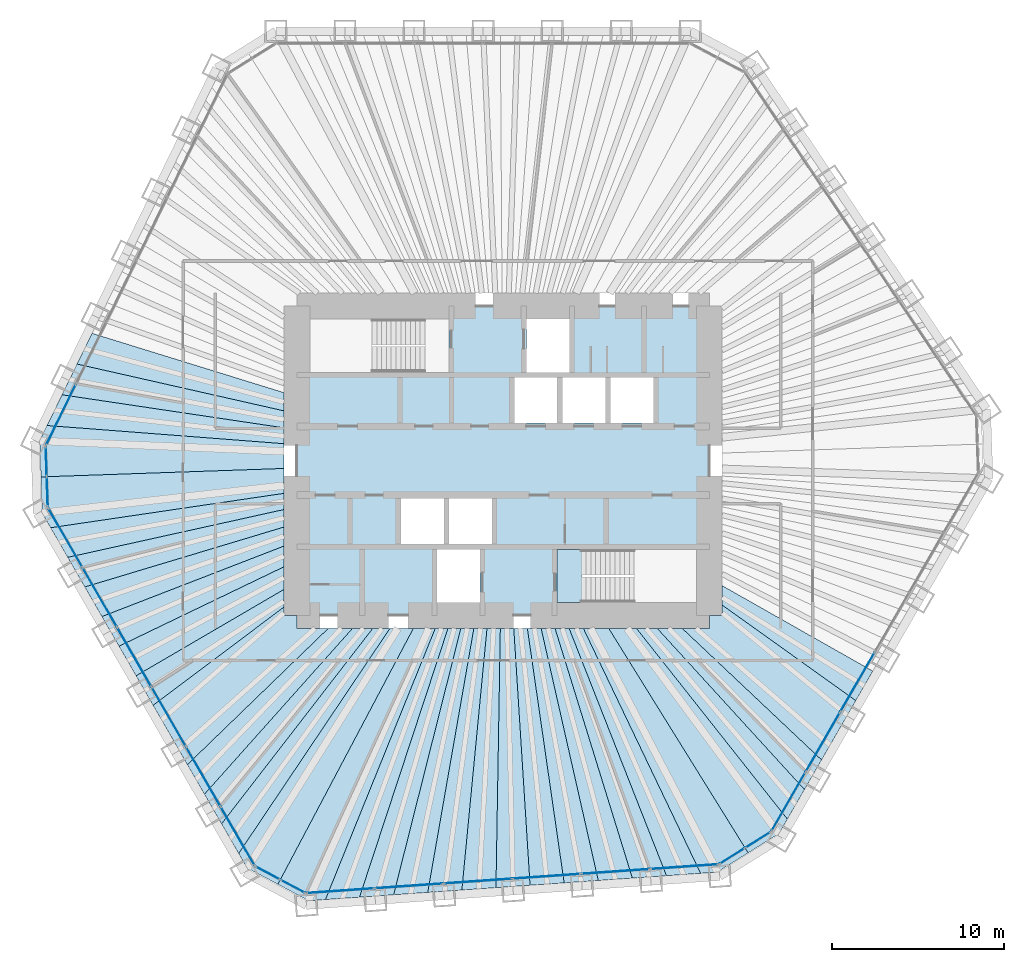
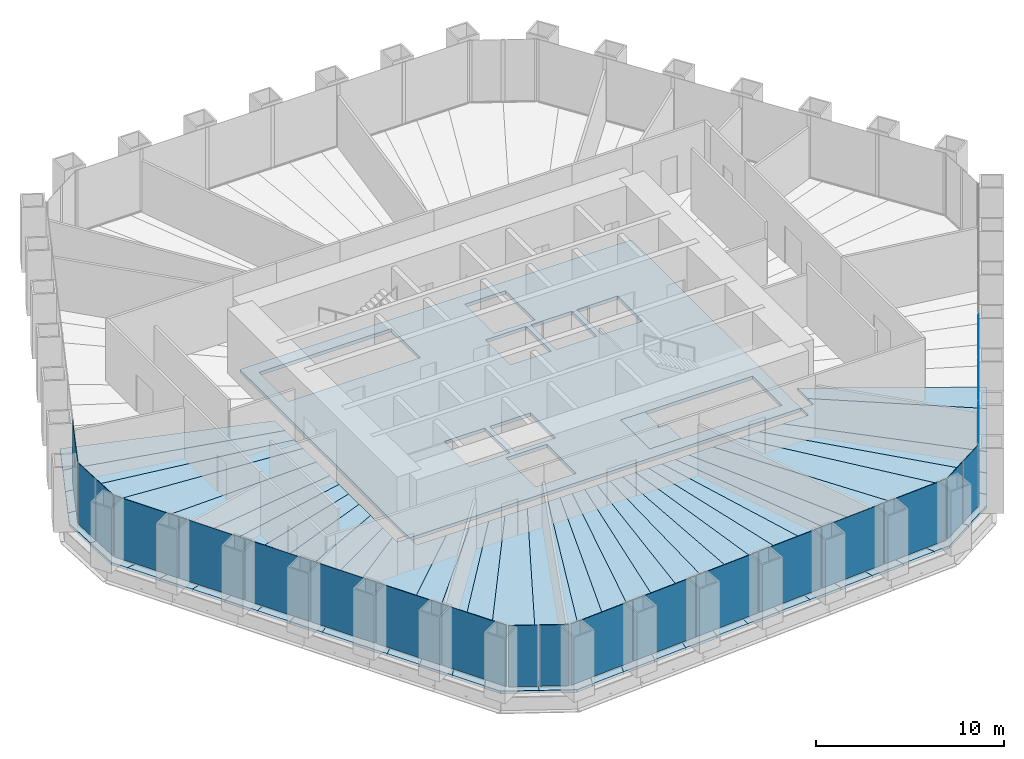
# One storey, part 8 of 13: 36 slabs, 22 plates, 8 elements without a shape of their own.
"""IFC4 building model written with IfcOpenShell, lengths in metres."""

from ifc_helpers import new_model, si_unit, direction, frame, origin, origin_2d, place, context, subcontext, project, spatial, polyline, rectangle, outline, extrude, material, layer, layer_set, type_object, element, aggregate, save


model = new_model("IFC4")

# Units and contexts
model_context = context("Model", 3, precision=1e-05, world=origin(), true_north=direction((0.0, 1.0)))
body_context = subcontext(model_context, "Body", "Model", "MODEL_VIEW")
ifc_project = project(units=[si_unit("LENGTHUNIT", "METRE"), si_unit("AREAUNIT", "SQUARE_METRE"), si_unit("VOLUMEUNIT", "CUBIC_METRE"), si_unit("PLANEANGLEUNIT", "RADIAN"), si_unit("MASSUNIT", "GRAM", prefix="KILO")], contexts=[model_context])

# Site, building, storey
site_placement = place(None, origin())
site = spatial("IfcSite", under=ifc_project, at=site_placement, CompositionType="ELEMENT")
building_placement = place(site_placement, origin())
building = spatial("IfcBuilding", under=site, at=building_placement, Name="Qingtian Harvest Tower", CompositionType="ELEMENT")
storey_placement = place(building_placement, frame((0.0, 0.0, 153.39990234375)))
storey = spatial("IfcBuildingStorey", under=building, at=storey_placement, Name="L32", CompositionType="ELEMENT", Elevation=153.39990234375)

# Slabs
ifc_material_1 = material(Name="Concrete fc' 35 MPa", Category="concrete")
ifc_layer_1 = layer(ifc_material_1, 0.169921875)
ifc_layer_set_1 = layer_set([ifc_layer_1], Name="Composite floor slab FS17 170")
slab_type_1 = type_object("IfcSlabType", Name="Composite floor slab FS17 170", PredefinedType="FLOOR", material=ifc_layer_set_1)
slab_1_placement = place(storey_placement, frame((0.0, 0.0, -0.169921875)))
element("IfcSlab", 1, at=slab_1_placement, inside=storey, type_object=slab_type_1, Name="Floor slab L32 panel D01", PredefinedType="FLOOR", context=body_context, shape_type="SweptSolid", body=[
    extrude(outline(polyline([(-26.8935546875, -0.939208984375), (-12.75, -0.447998046875), (-12.75, -1.89599609375), (-26.333984375, -3.8984375), (-26.819580078125, -3.056884765625), (-26.8935546875, -0.939208984375)])), origin(), (0.0, 0.0, 1.0), 0.169921875),
])
slab_2_placement = place(storey_placement, frame((0.0, 0.0, -0.169921875)))
element("IfcSlab", 2, at=slab_2_placement, inside=storey, type_object=slab_type_1, Name="Floor slab L32 panel D02", PredefinedType="FLOOR", context=body_context, shape_type="SweptSolid", body=[
    extrude(outline(polyline([(-12.75, -2.838134765625), (-25.3388671875, -5.62158203125), (-26.333984375, -3.8984375), (-12.75, -1.89599609375), (-12.75, -2.838134765625)])), origin(), (0.0, 0.0, 1.0), 0.169921875),
])
slab_3_placement = place(storey_placement, frame((0.0, 0.0, -0.169921875)))
element("IfcSlab", 3, at=slab_3_placement, inside=storey, type_object=slab_type_1, Name="Floor slab L32 panel D03", PredefinedType="FLOOR", context=body_context, shape_type="SweptSolid", body=[
    extrude(outline(polyline([(-12.75, -3.857666015625), (-24.343994140625, -7.344970703125), (-25.3388671875, -5.62158203125), (-12.75, -2.838134765625), (-12.75, -3.857666015625)])), origin(), (0.0, 0.0, 1.0), 0.169921875),
])
slab_4_placement = place(storey_placement, frame((0.0, 0.0, -0.169921875)))
element("IfcSlab", 4, at=slab_4_placement, inside=storey, type_object=slab_type_1, Name="Floor slab L32 panel D04", PredefinedType="FLOOR", context=body_context, shape_type="SweptSolid", body=[
    extrude(outline(polyline([(-12.75, -4.9638671875), (-23.34912109375, -9.068115234375), (-24.343994140625, -7.344970703125), (-12.75, -3.857666015625), (-12.75, -4.9638671875)])), origin(), (0.0, 0.0, 1.0), 0.169921875),
])
slab_5_placement = place(storey_placement, frame((0.0, 0.0, -0.169921875)))
element("IfcSlab", 5, at=slab_5_placement, inside=storey, type_object=slab_type_1, Name="Floor slab L32 panel D05", PredefinedType="FLOOR", context=body_context, shape_type="SweptSolid", body=[
    extrude(outline(polyline([(-12.75, -6.1689453125), (-22.354248046875, -10.79150390625), (-23.34912109375, -9.068115234375), (-12.75, -4.9638671875), (-12.75, -6.1689453125)])), origin(), (0.0, 0.0, 1.0), 0.169921875),
])
slab_6_placement = place(storey_placement, frame((0.0, 0.0, -0.169921875)))
element("IfcSlab", 6, at=slab_6_placement, inside=storey, type_object=slab_type_1, Name="Floor slab L32 panel D06", PredefinedType="FLOOR", context=body_context, shape_type="SweptSolid", body=[
    extrude(outline(polyline([(-12.75, -7.486328125), (-21.359130859375, -12.5146484375), (-22.354248046875, -10.79150390625), (-12.75, -6.1689453125), (-12.75, -7.486328125)])), origin(), (0.0, 0.0, 1.0), 0.169921875),
])
slab_7_placement = place(storey_placement, frame((0.0, 0.0, -0.169921875)))
element("IfcSlab", 7, at=slab_7_placement, inside=storey, type_object=slab_type_1, Name="Floor slab L32 panel D07", PredefinedType="FLOOR", context=body_context, shape_type="SweptSolid", body=[
    extrude(outline(polyline([(-12.75, -8.512451171875), (-20.36865234375, -14.23046875), (-21.359130859375, -12.5146484375), (-12.75, -7.486328125), (-12.75, -8.512451171875)])), origin(), (0.0, 0.0, 1.0), 0.169921875),
])
slab_8_placement = place(storey_placement, frame((0.0, 0.0, -0.169921875)))
element("IfcSlab", 8, at=slab_8_placement, inside=storey, type_object=slab_type_1, Name="Floor slab L32 panel D09", PredefinedType="FLOOR", context=body_context, shape_type="SweptSolid", body=[
    extrude(outline(polyline([(-18.375, -17.683837890625), (-20.36865234375, -14.23046875), (-12.75, -8.512451171875), (-12.75, -9.0), (-12.0, -9.0), (-12.0, -9.75), (-10.168212890625, -9.75), (-18.375, -17.683837890625)])), origin(), (0.0, 0.0, 1.0), 0.169921875),
])
slab_9_placement = place(storey_placement, frame((0.0, 0.0, -0.169921875)))
element("IfcSlab", 9, at=slab_9_placement, inside=storey, type_object=slab_type_1, Name="Floor slab L32 panel D10", PredefinedType="FLOOR", context=body_context, shape_type="SweptSolid", body=[
    extrude(outline(polyline([(-8.759521484375, -9.75), (-17.3798828125, -19.4072265625), (-18.375, -17.683837890625), (-10.168212890625, -9.75), (-8.759521484375, -9.75)])), origin(), (0.0, 0.0, 1.0), 0.169921875),
])
slab_10_placement = place(storey_placement, frame((0.0, 0.0, -0.169921875)))
element("IfcSlab", 10, at=slab_10_placement, inside=storey, type_object=slab_type_1, Name="Floor slab L32 panel D11", PredefinedType="FLOOR", context=body_context, shape_type="SweptSolid", body=[
    extrude(outline(polyline([(-7.58203125, -9.75), (-16.385009765625, -21.13037109375), (-17.3798828125, -19.4072265625), (-8.759521484375, -9.75), (-7.58203125, -9.75)])), origin(), (0.0, 0.0, 1.0), 0.169921875),
])
slab_11_placement = place(storey_placement, frame((0.0, 0.0, -0.169921875)))
element("IfcSlab", 11, at=slab_11_placement, inside=storey, type_object=slab_type_1, Name="Floor slab L32 panel D12", PredefinedType="FLOOR", context=body_context, shape_type="SweptSolid", body=[
    extrude(outline(polyline([(-6.5830078125, -9.75), (-15.389892578125, -22.853759765625), (-16.385009765625, -21.13037109375), (-7.58203125, -9.75), (-6.5830078125, -9.75)])), origin(), (0.0, 0.0, 1.0), 0.169921875),
])
slab_12_placement = place(storey_placement, frame((0.0, 0.0, -0.169921875)))
element("IfcSlab", 12, at=slab_12_placement, inside=storey, type_object=slab_type_1, Name="Floor slab L32 panel D13", PredefinedType="FLOOR", context=body_context, shape_type="SweptSolid", body=[
    extrude(outline(polyline([(-6.5830078125, -9.75), (-5.21875, -9.75), (-13.107421875, -24.650634765625), (-14.904052734375, -23.6953125), (-15.389892578125, -22.853759765625), (-6.5830078125, -9.75)])), origin(), (0.0, 0.0, 1.0), 0.169921875),
])
slab_13_placement = place(storey_placement, frame((0.0, 0.0, -0.169921875)))
element("IfcSlab", 13, at=slab_13_placement, inside=storey, type_object=slab_type_1, Name="Floor slab L32 panel D14", PredefinedType="FLOOR", context=body_context, shape_type="SweptSolid", body=[
    extrude(outline(polyline([(-5.21875, -9.75), (-3.947021484375, -9.75), (-10.3408203125, -25.53857421875), (-11.31005859375, -25.606201171875), (-13.107421875, -24.650634765625), (-5.21875, -9.75)])), origin(), (0.0, 0.0, 1.0), 0.169921875),
])
slab_14_placement = place(storey_placement, frame((0.0, 0.0, -0.169921875)))
element("IfcSlab", 14, at=slab_14_placement, inside=storey, type_object=slab_type_1, Name="Floor slab L32 panel D15", PredefinedType="FLOOR", context=body_context, shape_type="SweptSolid", body=[
    extrude(outline(polyline([(-3.20654296875, -9.75), (-8.35595703125, -25.399658203125), (-10.3408203125, -25.53857421875), (-3.947021484375, -9.75), (-3.20654296875, -9.75)])), origin(), (0.0, 0.0, 1.0), 0.169921875),
])
slab_15_placement = place(storey_placement, frame((0.0, 0.0, -0.169921875)))
element("IfcSlab", 15, at=slab_15_placement, inside=storey, type_object=slab_type_1, Name="Floor slab L32 panel D16", PredefinedType="FLOOR", context=body_context, shape_type="SweptSolid", body=[
    extrude(outline(polyline([(-2.4580078125, -9.75), (-6.370849609375, -25.260986328125), (-8.35595703125, -25.399658203125), (-3.20654296875, -9.75), (-2.4580078125, -9.75)])), origin(), (0.0, 0.0, 1.0), 0.169921875),
])
slab_16_placement = place(storey_placement, frame((0.0, 0.0, -0.169921875)))
element("IfcSlab", 16, at=slab_16_placement, inside=storey, type_object=slab_type_1, Name="Floor slab L32 panel D17", PredefinedType="FLOOR", context=body_context, shape_type="SweptSolid", body=[
    extrude(outline(polyline([(-1.701171875, -9.75), (-4.385986328125, -25.1220703125), (-6.370849609375, -25.260986328125), (-2.4580078125, -9.75), (-1.701171875, -9.75)])), origin(), (0.0, 0.0, 1.0), 0.169921875),
])
slab_17_placement = place(storey_placement, frame((0.0, 0.0, -0.169921875)))
element("IfcSlab", 17, at=slab_17_placement, inside=storey, type_object=slab_type_1, Name="Floor slab L32 panel D18", PredefinedType="FLOOR", context=body_context, shape_type="SweptSolid", body=[
    extrude(outline(polyline([(-0.93603515625, -9.75), (-2.40087890625, -24.9833984375), (-4.385986328125, -25.1220703125), (-1.701171875, -9.75), (-0.93603515625, -9.75)])), origin(), (0.0, 0.0, 1.0), 0.169921875),
])
slab_18_placement = place(storey_placement, frame((0.0, 0.0, -0.169921875)))
element("IfcSlab", 18, at=slab_18_placement, inside=storey, type_object=slab_type_1, Name="Floor slab L32 panel D19", PredefinedType="FLOOR", context=body_context, shape_type="SweptSolid", body=[
    extrude(outline(polyline([(-0.162109375, -9.75), (-0.416015625, -24.844482421875), (-2.40087890625, -24.9833984375), (-0.93603515625, -9.75), (-0.162109375, -9.75)])), origin(), (0.0, 0.0, 1.0), 0.169921875),
])
slab_19_placement = place(storey_placement, frame((0.0, 0.0, -0.169921875)))
element("IfcSlab", 19, at=slab_19_placement, inside=storey, type_object=slab_type_1, Name="Floor slab L32 panel D20", PredefinedType="FLOOR", context=body_context, shape_type="SweptSolid", body=[
    extrude(outline(polyline([(0.620361328125, -9.75), (1.569091796875, -24.705810546875), (-0.416015625, -24.844482421875), (-0.162109375, -9.75), (0.620361328125, -9.75)])), origin(), (0.0, 0.0, 1.0), 0.169921875),
])
slab_20_placement = place(storey_placement, frame((0.0, 0.0, -0.169921875)))
element("IfcSlab", 20, at=slab_20_placement, inside=storey, type_object=slab_type_1, Name="Floor slab L32 panel D21", PredefinedType="FLOOR", context=body_context, shape_type="SweptSolid", body=[
    extrude(outline(polyline([(1.41162109375, -9.75), (3.553955078125, -24.56689453125), (1.569091796875, -24.705810546875), (0.620361328125, -9.75), (1.41162109375, -9.75)])), origin(), (0.0, 0.0, 1.0), 0.169921875),
])
slab_21_placement = place(storey_placement, frame((0.0, 0.0, -0.169921875)))
element("IfcSlab", 21, at=slab_21_placement, inside=storey, type_object=slab_type_1, Name="Floor slab L32 panel D22", PredefinedType="FLOOR", context=body_context, shape_type="SweptSolid", body=[
    extrude(outline(polyline([(2.2119140625, -9.75), (5.5390625, -24.42822265625), (3.553955078125, -24.56689453125), (1.41162109375, -9.75), (2.2119140625, -9.75)])), origin(), (0.0, 0.0, 1.0), 0.169921875),
])
slab_22_placement = place(storey_placement, frame((0.0, 0.0, -0.169921875)))
element("IfcSlab", 22, at=slab_22_placement, inside=storey, type_object=slab_type_1, Name="Floor slab L32 panel D23", PredefinedType="FLOOR", context=body_context, shape_type="SweptSolid", body=[
    extrude(outline(polyline([(3.021484375, -9.75), (7.524169921875, -24.289306640625), (5.5390625, -24.42822265625), (2.2119140625, -9.75), (3.021484375, -9.75)])), origin(), (0.0, 0.0, 1.0), 0.169921875),
])
slab_23_placement = place(storey_placement, frame((0.0, 0.0, -0.169921875)))
element("IfcSlab", 23, at=slab_23_placement, inside=storey, type_object=slab_type_1, Name="Floor slab L32 panel D24", PredefinedType="FLOOR", context=body_context, shape_type="SweptSolid", body=[
    extrude(outline(polyline([(3.840087890625, -9.75), (9.509033203125, -24.150390625), (7.524169921875, -24.289306640625), (3.021484375, -9.75), (3.840087890625, -9.75)])), origin(), (0.0, 0.0, 1.0), 0.169921875),
])
slab_24_placement = place(storey_placement, frame((0.0, 0.0, -0.169921875)))
element("IfcSlab", 24, at=slab_24_placement, inside=storey, type_object=slab_type_1, Name="Floor slab L32 panel D25", PredefinedType="FLOOR", context=body_context, shape_type="SweptSolid", body=[
    extrude(outline(polyline([(4.66845703125, -9.75), (11.494140625, -24.01171875), (9.509033203125, -24.150390625), (3.840087890625, -9.75), (4.66845703125, -9.75)])), origin(), (0.0, 0.0, 1.0), 0.169921875),
])
slab_25_placement = place(storey_placement, frame((0.0, 0.0, -0.169921875)))
element("IfcSlab", 25, at=slab_25_placement, inside=storey, type_object=slab_type_1, Name="Floor slab L32 panel D26", PredefinedType="FLOOR", context=body_context, shape_type="SweptSolid", body=[
    extrude(outline(polyline([(4.66845703125, -9.75), (6.14404296875, -9.75), (14.2607421875, -22.820556640625), (12.463134765625, -23.94384765625), (11.494140625, -24.01171875), (4.66845703125, -9.75)])), origin(), (0.0, 0.0, 1.0), 0.169921875),
])
slab_26_placement = place(storey_placement, frame((0.0, 0.0, -0.169921875)))
element("IfcSlab", 26, at=slab_26_placement, inside=storey, type_object=slab_type_1, Name="Floor slab L32 panel D27", PredefinedType="FLOOR", context=body_context, shape_type="SweptSolid", body=[
    extrude(outline(polyline([(6.14404296875, -9.75), (7.756103515625, -9.75), (16.543212890625, -20.8564453125), (16.05712890625, -21.697998046875), (14.2607421875, -22.820556640625), (6.14404296875, -9.75)])), origin(), (0.0, 0.0, 1.0), 0.169921875),
])
slab_27_placement = place(storey_placement, frame((0.0, 0.0, -0.169921875)))
element("IfcSlab", 27, at=slab_27_placement, inside=storey, type_object=slab_type_1, Name="Floor slab L32 panel D28", PredefinedType="FLOOR", context=body_context, shape_type="SweptSolid", body=[
    extrude(outline(polyline([(8.966552734375, -9.75), (17.5380859375, -19.133056640625), (16.543212890625, -20.8564453125), (7.756103515625, -9.75), (8.966552734375, -9.75)])), origin(), (0.0, 0.0, 1.0), 0.169921875),
])
slab_28_placement = place(storey_placement, frame((0.0, 0.0, -0.169921875)))
element("IfcSlab", 28, at=slab_28_placement, inside=storey, type_object=slab_type_1, Name="Floor slab L32 panel D29", PredefinedType="FLOOR", context=body_context, shape_type="SweptSolid", body=[
    extrude(outline(polyline([(10.41796875, -9.75), (18.532958984375, -17.40966796875), (17.5380859375, -19.133056640625), (8.966552734375, -9.75), (10.41796875, -9.75)])), origin(), (0.0, 0.0, 1.0), 0.169921875),
])
slab_29_placement = place(storey_placement, frame((0.0, 0.0, -0.169921875)))
element("IfcSlab", 29, at=slab_29_placement, inside=storey, type_object=slab_type_1, Name="Floor slab L32 panel D31", PredefinedType="FLOOR", context=body_context, shape_type="SweptSolid", body=[
    extrude(outline(polyline([(12.75, -8.398681640625), (20.525390625, -13.958740234375), (18.532958984375, -17.40966796875), (10.41796875, -9.75), (12.0, -9.75), (12.0, -9.0), (12.75, -9.0), (12.75, -8.398681640625)])), origin(), (0.0, 0.0, 1.0), 0.169921875),
])
slab_30_placement = place(storey_placement, frame((0.0, 0.0, -0.169921875)))
element("IfcSlab", 30, at=slab_30_placement, inside=storey, type_object=slab_type_1, Name="Floor slab L32 panel D32", PredefinedType="FLOOR", context=body_context, shape_type="SweptSolid", body=[
    extrude(outline(polyline([(12.75, -7.268798828125), (21.517333984375, -12.24072265625), (20.525390625, -13.958740234375), (12.75, -8.398681640625), (12.75, -7.268798828125)])), origin(), (0.0, 0.0, 1.0), 0.169921875),
])
slab_31_placement = place(storey_placement, frame((0.0, 0.0, -0.169921875)))
element("IfcSlab", 31, at=slab_31_placement, inside=storey, type_object=slab_type_1, Name="Floor slab L32 panel D75", PredefinedType="FLOOR", context=body_context, shape_type="SweptSolid", body=[
    extrude(outline(polyline([(-12.75, 2.903076171875), (-24.797119140625, 5.62890625), (-23.9248046875, 7.417236328125), (-12.75, 3.962646484375), (-12.75, 2.903076171875)])), origin(), (0.0, 0.0, 1.0), 0.169921875),
])
slab_32_placement = place(storey_placement, frame((0.0, 0.0, -0.169921875)))
element("IfcSlab", 32, at=slab_32_placement, inside=storey, type_object=slab_type_1, Name="Floor slab L32 panel D76", PredefinedType="FLOOR", context=body_context, shape_type="SweptSolid", body=[
    extrude(outline(polyline([(-12.75, 1.91552734375), (-25.66943359375, 3.84033203125), (-24.797119140625, 5.62890625), (-12.75, 2.903076171875), (-12.75, 1.91552734375)])), origin(), (0.0, 0.0, 1.0), 0.169921875),
])
slab_33_placement = place(storey_placement, frame((0.0, 0.0, -0.169921875)))
element("IfcSlab", 33, at=slab_33_placement, inside=storey, type_object=slab_type_1, Name="Floor slab L32 panel D77", PredefinedType="FLOOR", context=body_context, shape_type="SweptSolid", body=[
    extrude(outline(polyline([(-12.75, 0.992919921875), (-26.541748046875, 2.0517578125), (-25.66943359375, 3.84033203125), (-12.75, 1.91552734375), (-12.75, 0.992919921875)])), origin(), (0.0, 0.0, 1.0), 0.169921875),
])
slab_34_placement = place(storey_placement, frame((0.0, 0.0, -0.169921875)))
element("IfcSlab", 34, at=slab_34_placement, inside=storey, type_object=slab_type_1, Name="Floor slab L32 panel D78", PredefinedType="FLOOR", context=body_context, shape_type="SweptSolid", body=[
    extrude(outline(polyline([(-12.75, 0.992919921875), (-12.75, -0.447998046875), (-26.8935546875, -0.939208984375), (-26.967529296875, 1.1787109375), (-26.541748046875, 2.0517578125), (-12.75, 0.992919921875)])), origin(), (0.0, 0.0, 1.0), 0.169921875),
])
ifc_material_2 = material(Name="Concrete fc' 35 MPa", Category="concrete")
ifc_layer_2 = layer(ifc_material_2, 0.219970703125)
ifc_layer_set_2 = layer_set([ifc_layer_2], Name="Core floor slab CS22 220")
slab_type_2 = type_object("IfcSlabType", Name="Core floor slab CS22 220", PredefinedType="FLOOR", material=ifc_layer_set_2)
slab_35_placement = place(storey_placement, frame((0.0, 0.0, -0.219970703125)))
element("IfcSlab", 35, at=slab_35_placement, inside=storey, type_object=slab_type_2, Name="Core floor slab L32", PredefinedType="FLOOR", context=body_context, shape_type="SweptSolid", body=[
    extrude(outline(polyline([(-12.0, -9.0), (12.0, -9.0), (12.0, 9.0), (-12.0, 9.0), (-12.0, -9.0)]), holes=[polyline([(-11.25, 5.14990234375), (-3.14990234375, 5.14990234375), (-3.14990234375, 8.25), (-11.25, 8.25), (-11.25, 5.14990234375)]), polyline([(3.14990234375, -8.25), (11.25, -8.25), (11.25, -5.14990234375), (3.14990234375, -5.14990234375), (3.14990234375, -8.25)]), polyline([(1.35009765625, 5.14990234375), (3.85009765625, 5.14990234375), (3.85009765625, 8.25), (1.35009765625, 8.25), (1.35009765625, 5.14990234375)]), polyline([(-3.85009765625, -8.25), (-1.35009765625, -8.25), (-1.35009765625, -5.14990234375), (-3.85009765625, -5.14990234375), (-3.85009765625, -8.25)]), polyline([(0.64990234375, 2.199951171875), (3.14990234375, 2.199951171875), (3.14990234375, 4.85009765625), (0.64990234375, 4.85009765625), (0.64990234375, 2.199951171875)]), polyline([(3.449951171875, 2.199951171875), (5.949951171875, 2.199951171875), (5.949951171875, 4.85009765625), (3.449951171875, 4.85009765625), (3.449951171875, 2.199951171875)]), polyline([(6.25, 2.199951171875), (8.75, 2.199951171875), (8.75, 4.85009765625), (6.25, 4.85009765625), (6.25, 2.199951171875)]), polyline([(-5.949951171875, -4.85009765625), (-3.449951171875, -4.85009765625), (-3.449951171875, -2.199951171875), (-5.949951171875, -2.199951171875), (-5.949951171875, -4.85009765625)]), polyline([(-3.14990234375, -4.85009765625), (-0.64990234375, -4.85009765625), (-0.64990234375, -2.199951171875), (-3.14990234375, -2.199951171875), (-3.14990234375, -4.85009765625)])]), origin(), (0.0, 0.0, 1.0), 0.219970703125),
])

# Curtain wall, plates
ifc_material_3 = material(Name="Bronze-anodised aluminium curtain wall", Category="aluminium")
curtain_wall_type = type_object("IfcCurtainWallType", Name="Curtain wall CW4 office", PredefinedType="USERDEFINED", material=ifc_material_3)
curtain_wall_1_placement = place(storey_placement, origin())
curtain_wall_1 = element("IfcCurtainWall", 36, at=curtain_wall_1_placement, inside=storey, type_object=curtain_wall_type, Name="Curtain wall CW4 L32 SE0-5", ObjectType="RECESSED CURTAIN WALL", PredefinedType="USERDEFINED")
ifc_material_4 = material(Name="Bronze-tinted laminated insulating glass", Category="glass")
ifc_layer_3 = layer(ifc_material_4, 0.030029296875)
ifc_layer_set_3 = layer_set([ifc_layer_3], Name="Glazed panel CWP tinted IGU")
plate_type = type_object("IfcPlateType", Name="Glazed panel CWP tinted IGU", PredefinedType="CURTAIN_PANEL", material=ifc_layer_set_3)
plate_1_placement = place(storey_placement, frame((20.621826171875, -12.8818359375, 0.06494140625), z_axis=(0.0, 0.0, 1.0), x_axis=(-0.5, -0.866025403784, 0.0)))
plate_1 = element("IfcPlate", 37, at=plate_1_placement, type_object=plate_type, Name="CW4 panel 4.1", PredefinedType="CURTAIN_PANEL", context=body_context, shape_type="SweptSolid", body=[
    extrude(rectangle(XDim=3.9541015625, YDim=0.030029296875, at=origin_2d()), origin(), (0.0, 0.0, 1.0), 3.965087890625),
])
plate_2_placement = place(storey_placement, frame((18.6123046875, -16.362548828125, 0.06494140625), z_axis=(0.0, 0.0, 1.0), x_axis=(-0.5, -0.866025403784, 0.0)))
plate_2 = element("IfcPlate", 38, at=plate_2_placement, type_object=plate_type, Name="CW4 panel 5.1", PredefinedType="CURTAIN_PANEL", context=body_context, shape_type="SweptSolid", body=[
    extrude(rectangle(XDim=3.9541015625, YDim=0.030029296875, at=origin_2d()), origin(), (0.0, 0.0, 1.0), 3.965087890625),
])
plate_3_placement = place(storey_placement, frame((16.61083984375, -19.8291015625, 0.06494140625), z_axis=(0.0, 0.0, 1.0), x_axis=(-0.5, -0.866025403784, 0.0)))
plate_3 = element("IfcPlate", 39, at=plate_3_placement, type_object=plate_type, Name="CW4 panel 6.1", PredefinedType="CURTAIN_PANEL", context=body_context, shape_type="SweptSolid", body=[
    extrude(rectangle(XDim=3.921630859375, YDim=0.030029296875, at=origin_2d()), origin(), (0.0, 0.0, 1.0), 3.965087890625),
])
aggregate(curtain_wall_1, [plate_1, plate_2, plate_3])

curtain_wall_2_placement = place(storey_placement, origin())
curtain_wall_2 = element("IfcCurtainWall", 40, at=curtain_wall_2_placement, inside=storey, type_object=curtain_wall_type, Name="Curtain wall CW4 L32 SEC", ObjectType="RECESSED CURTAIN WALL", PredefinedType="USERDEFINED")
plate_4_placement = place(storey_placement, frame((14.8251953125, -22.06640625, 0.06494140625), z_axis=(0.0, 0.0, 1.0), x_axis=(-0.848048096156, -0.529919264233, 0.0)))
plate_4 = element("IfcPlate", 41, at=plate_4_placement, type_object=plate_type, Name="CW4 panel 1.1", PredefinedType="CURTAIN_PANEL", context=body_context, shape_type="SweptSolid", body=[
    extrude(rectangle(XDim=1.69287109375, YDim=0.030029296875, at=origin_2d()), origin(), (0.0, 0.0, 1.0), 3.965087890625),
])
plate_5_placement = place(storey_placement, frame((13.334228515625, -22.998046875, 0.06494140625), z_axis=(0.0, 0.0, 1.0), x_axis=(-0.848048096156, -0.529919264233, 0.0)))
plate_5 = element("IfcPlate", 42, at=plate_5_placement, type_object=plate_type, Name="CW4 panel 2.1", PredefinedType="CURTAIN_PANEL", context=body_context, shape_type="SweptSolid", body=[
    extrude(rectangle(XDim=1.69287109375, YDim=0.030029296875, at=origin_2d()), origin(), (0.0, 0.0, 1.0), 3.965087890625),
])
aggregate(curtain_wall_2, [plate_4, plate_5])

curtain_wall_3_placement = place(storey_placement, origin())
curtain_wall_3 = element("IfcCurtainWall", 43, at=curtain_wall_3_placement, inside=storey, type_object=curtain_wall_type, Name="Curtain wall CW4 L32 S0-5", ObjectType="RECESSED CURTAIN WALL", PredefinedType="USERDEFINED")
plate_6_placement = place(storey_placement, frame((10.54052734375, -23.622314453125, 0.06494140625), z_axis=(0.0, 0.0, 1.0), x_axis=(-0.99756405026, -0.069756473744, 0.0)))
plate_6 = element("IfcPlate", 44, at=plate_6_placement, type_object=plate_type, Name="CW4 panel 1.1", PredefinedType="CURTAIN_PANEL", context=body_context, shape_type="SweptSolid", body=[
    extrude(rectangle(XDim=3.921630859375, YDim=0.030029296875, at=origin_2d()), origin(), (0.0, 0.0, 1.0), 3.965087890625),
])
plate_7_placement = place(storey_placement, frame((6.54736328125, -23.901611328125, 0.06494140625), z_axis=(0.0, 0.0, 1.0), x_axis=(-0.99756405026, -0.069756473744, 0.0)))
plate_7 = element("IfcPlate", 45, at=plate_7_placement, type_object=plate_type, Name="CW4 panel 2.1", PredefinedType="CURTAIN_PANEL", context=body_context, shape_type="SweptSolid", body=[
    extrude(rectangle(XDim=3.9541015625, YDim=0.030029296875, at=origin_2d()), origin(), (0.0, 0.0, 1.0), 3.965087890625),
])
plate_8_placement = place(storey_placement, frame((2.5380859375, -24.181884765625, 0.06494140625), z_axis=(0.0, 0.0, 1.0), x_axis=(-0.99756405026, -0.069756473744, 0.0)))
plate_8 = element("IfcPlate", 46, at=plate_8_placement, type_object=plate_type, Name="CW4 panel 3.1", PredefinedType="CURTAIN_PANEL", context=body_context, shape_type="SweptSolid", body=[
    extrude(rectangle(XDim=3.9541015625, YDim=0.030029296875, at=origin_2d()), origin(), (0.0, 0.0, 1.0), 3.965087890625),
])
plate_9_placement = place(storey_placement, frame((-1.47119140625, -24.462158203125, 0.06494140625), z_axis=(0.0, 0.0, 1.0), x_axis=(-0.99756405026, -0.069756473744, 0.0)))
plate_9 = element("IfcPlate", 47, at=plate_9_placement, type_object=plate_type, Name="CW4 panel 4.1", PredefinedType="CURTAIN_PANEL", context=body_context, shape_type="SweptSolid", body=[
    extrude(rectangle(XDim=3.9541015625, YDim=0.030029296875, at=origin_2d()), origin(), (0.0, 0.0, 1.0), 3.965087890625),
])
plate_10_placement = place(storey_placement, frame((-5.48046875, -24.74267578125, 0.06494140625), z_axis=(0.0, 0.0, 1.0), x_axis=(-0.99756405026, -0.069756473744, 0.0)))
plate_10 = element("IfcPlate", 48, at=plate_10_placement, type_object=plate_type, Name="CW4 panel 5.1", PredefinedType="CURTAIN_PANEL", context=body_context, shape_type="SweptSolid", body=[
    extrude(rectangle(XDim=3.9541015625, YDim=0.030029296875, at=origin_2d()), origin(), (0.0, 0.0, 1.0), 3.965087890625),
])
plate_11_placement = place(storey_placement, frame((-9.4736328125, -25.021728515625, 0.06494140625), z_axis=(0.0, 0.0, 1.0), x_axis=(-0.99756405026, -0.069756473744, 0.0)))
plate_11 = element("IfcPlate", 49, at=plate_11_placement, type_object=plate_type, Name="CW4 panel 6.1", PredefinedType="CURTAIN_PANEL", context=body_context, shape_type="SweptSolid", body=[
    extrude(rectangle(XDim=3.921630859375, YDim=0.030029296875, at=origin_2d()), origin(), (0.0, 0.0, 1.0), 3.965087890625),
])
aggregate(curtain_wall_3, [plate_6, plate_7, plate_8, plate_9, plate_10, plate_11])

curtain_wall_4_placement = place(storey_placement, origin())
curtain_wall_4 = element("IfcCurtainWall", 50, at=curtain_wall_4_placement, inside=storey, type_object=curtain_wall_type, Name="Curtain wall CW4 L32 SC", ObjectType="RECESSED CURTAIN WALL", PredefinedType="USERDEFINED")
plate_12_placement = place(storey_placement, frame((-12.24365234375, -24.764892578125, 0.06494140625), z_axis=(0.0, 0.0, 1.0), x_axis=(-0.882947592859, 0.469471562786, 0.0)))
plate_12 = element("IfcPlate", 51, at=plate_12_placement, type_object=plate_type, Name="CW4 panel 1.1", PredefinedType="CURTAIN_PANEL", context=body_context, shape_type="SweptSolid", body=[
    extrude(rectangle(XDim=1.56689453125, YDim=0.030029296875, at=origin_2d()), origin(), (0.0, 0.0, 1.0), 3.965087890625),
])
plate_13_placement = place(storey_placement, frame((-13.684326171875, -23.998779296875, 0.06494140625), z_axis=(0.0, 0.0, 1.0), x_axis=(-0.882947592859, 0.469471562786, 0.0)))
plate_13 = element("IfcPlate", 52, at=plate_13_placement, type_object=plate_type, Name="CW4 panel 2.1", PredefinedType="CURTAIN_PANEL", context=body_context, shape_type="SweptSolid", body=[
    extrude(rectangle(XDim=1.56689453125, YDim=0.030029296875, at=origin_2d()), origin(), (0.0, 0.0, 1.0), 3.965087890625),
])
aggregate(curtain_wall_4, [plate_12, plate_13])

curtain_wall_5_placement = place(storey_placement, origin())
curtain_wall_5 = element("IfcCurtainWall", 53, at=curtain_wall_5_placement, inside=storey, type_object=curtain_wall_type, Name="Curtain wall CW4 L32 SW0-5", ObjectType="RECESSED CURTAIN WALL", PredefinedType="USERDEFINED")
plate_14_placement = place(storey_placement, frame((-15.446533203125, -21.845947265625, 0.06494140625), z_axis=(0.0, 0.0, 1.0), x_axis=(-0.5, 0.866025403784, 0.0)))
plate_14 = element("IfcPlate", 54, at=plate_14_placement, type_object=plate_type, Name="CW4 panel 1.1", PredefinedType="CURTAIN_PANEL", context=body_context, shape_type="SweptSolid", body=[
    extrude(rectangle(XDim=3.921630859375, YDim=0.030029296875, at=origin_2d()), origin(), (0.0, 0.0, 1.0), 3.965087890625),
])
plate_15_placement = place(storey_placement, frame((-17.44775390625, -18.37939453125, 0.06494140625), z_axis=(0.0, 0.0, 1.0), x_axis=(-0.5, 0.866025403784, 0.0)))
plate_15 = element("IfcPlate", 55, at=plate_15_placement, type_object=plate_type, Name="CW4 panel 2.1", PredefinedType="CURTAIN_PANEL", context=body_context, shape_type="SweptSolid", body=[
    extrude(rectangle(XDim=3.9541015625, YDim=0.030029296875, at=origin_2d()), origin(), (0.0, 0.0, 1.0), 3.965087890625),
])
plate_16_placement = place(storey_placement, frame((-19.45751953125, -14.898681640625, 0.06494140625), z_axis=(0.0, 0.0, 1.0), x_axis=(-0.5, 0.866025403784, 0.0)))
plate_16 = element("IfcPlate", 56, at=plate_16_placement, type_object=plate_type, Name="CW4 panel 3.1", PredefinedType="CURTAIN_PANEL", context=body_context, shape_type="SweptSolid", body=[
    extrude(rectangle(XDim=3.9541015625, YDim=0.030029296875, at=origin_2d()), origin(), (0.0, 0.0, 1.0), 3.965087890625),
])
plate_17_placement = place(storey_placement, frame((-21.467041015625, -11.418212890625, 0.06494140625), z_axis=(0.0, 0.0, 1.0), x_axis=(-0.5, 0.866025403784, 0.0)))
plate_17 = element("IfcPlate", 57, at=plate_17_placement, type_object=plate_type, Name="CW4 panel 4.1", PredefinedType="CURTAIN_PANEL", context=body_context, shape_type="SweptSolid", body=[
    extrude(rectangle(XDim=3.9541015625, YDim=0.030029296875, at=origin_2d()), origin(), (0.0, 0.0, 1.0), 3.965087890625),
])
plate_18_placement = place(storey_placement, frame((-23.4765625, -7.9375, 0.06494140625), z_axis=(0.0, 0.0, 1.0), x_axis=(-0.5, 0.866025403784, 0.0)))
plate_18 = element("IfcPlate", 58, at=plate_18_placement, type_object=plate_type, Name="CW4 panel 5.1", PredefinedType="CURTAIN_PANEL", context=body_context, shape_type="SweptSolid", body=[
    extrude(rectangle(XDim=3.9541015625, YDim=0.030029296875, at=origin_2d()), origin(), (0.0, 0.0, 1.0), 3.965087890625),
])
plate_19_placement = place(storey_placement, frame((-25.477783203125, -4.470947265625, 0.06494140625), z_axis=(0.0, 0.0, 1.0), x_axis=(-0.5, 0.866025403784, 0.0)))
plate_19 = element("IfcPlate", 59, at=plate_19_placement, type_object=plate_type, Name="CW4 panel 6.1", PredefinedType="CURTAIN_PANEL", context=body_context, shape_type="SweptSolid", body=[
    extrude(rectangle(XDim=3.921630859375, YDim=0.030029296875, at=origin_2d()), origin(), (0.0, 0.0, 1.0), 3.965087890625),
])
aggregate(curtain_wall_5, [plate_14, plate_15, plate_16, plate_17, plate_18, plate_19])

curtain_wall_6_placement = place(storey_placement, origin())
curtain_wall_6 = element("IfcCurtainWall", 60, at=curtain_wall_6_placement, inside=storey, type_object=curtain_wall_type, Name="Curtain wall CW4 L32 SWC", ObjectType="RECESSED CURTAIN WALL", PredefinedType="USERDEFINED")
plate_20_placement = place(storey_placement, frame((-26.522705078125, -1.8056640625, 0.06494140625), z_axis=(0.0, 0.0, 1.0), x_axis=(-0.034899496703, 0.999390827019, 0.0)))
plate_20 = element("IfcPlate", 61, at=plate_20_placement, type_object=plate_type, Name="CW4 panel 1.1", PredefinedType="CURTAIN_PANEL", context=body_context, shape_type="SweptSolid", body=[
    extrude(rectangle(XDim=1.69287109375, YDim=0.030029296875, at=origin_2d()), origin(), (0.0, 0.0, 1.0), 3.965087890625),
])
plate_21_placement = place(storey_placement, frame((-26.583984375, -0.048828125, 0.06494140625), z_axis=(0.0, 0.0, 1.0), x_axis=(-0.034899496703, 0.999390827019, 0.0)))
plate_21 = element("IfcPlate", 62, at=plate_21_placement, type_object=plate_type, Name="CW4 panel 2.1", PredefinedType="CURTAIN_PANEL", context=body_context, shape_type="SweptSolid", body=[
    extrude(rectangle(XDim=1.69287109375, YDim=0.030029296875, at=origin_2d()), origin(), (0.0, 0.0, 1.0), 3.965087890625),
])
aggregate(curtain_wall_6, [plate_20, plate_21])

# Curtain wall, plate
curtain_wall_7_placement = place(storey_placement, origin())
curtain_wall_7 = element("IfcCurtainWall", 63, at=curtain_wall_7_placement, inside=storey, type_object=curtain_wall_type, Name="Curtain wall CW4 L32 NW0-5", ObjectType="RECESSED CURTAIN WALL", PredefinedType="USERDEFINED")
plate_22_placement = place(storey_placement, frame((-25.727783203125, 2.682861328125, 0.06494140625), z_axis=(0.0, 0.0, 1.0), x_axis=(0.438371146789, 0.898794046299, 0.0)))
plate_22 = element("IfcPlate", 64, at=plate_22_placement, type_object=plate_type, Name="CW4 panel 1.1", PredefinedType="CURTAIN_PANEL", context=body_context, shape_type="SweptSolid", body=[
    extrude(rectangle(XDim=3.921630859375, YDim=0.030029296875, at=origin_2d()), origin(), (0.0, 0.0, 1.0), 3.965087890625),
])
aggregate(curtain_wall_7, [plate_22])

# Stair, slab
ifc_material_5 = material(Name="Concrete fc' 35 MPa", Category="concrete")
stair_type = type_object("IfcStairType", Name="Special stair ST3 4200", PredefinedType="HALF_TURN_STAIR", material=ifc_material_5)
stair_placement = place(storey_placement, origin())
stair = element("IfcStair", 65, at=stair_placement, inside=storey, type_object=stair_type, Name="Special stair S2 L32", PredefinedType="HALF_TURN_STAIR")
ifc_material_6 = material(Name="Concrete fc' 35 MPa", Category="concrete")
ifc_layer_4 = layer(ifc_material_6, 0.199951171875)
ifc_layer_set_4 = layer_set([ifc_layer_4], Name="Stair landing SL2 200")
slab_type_3 = type_object("IfcSlabType", Name="Stair landing SL2 200", PredefinedType="LANDING", material=ifc_layer_set_4)
slab_36_placement = place(storey_placement, frame((0.0, 0.0, -0.199951171875)))
slab_36 = element("IfcSlab", 66, at=slab_36_placement, type_object=slab_type_3, Name="S2 landing 1", PredefinedType="LANDING", context=body_context, shape_type="SweptSolid", body=[
    extrude(outline(polyline([(5.0849609375, -8.25), (3.14990234375, -8.25), (3.14990234375, -5.14990234375), (4.64990234375, -5.14990234375), (4.64990234375, -6.64990234375), (4.550048828125, -6.64990234375), (4.550048828125, -6.75), (5.0849609375, -6.75), (5.0849609375, -8.25)])), origin(), (0.0, 0.0, 1.0), 0.199951171875),
])
aggregate(stair, [slab_36])

save(model, "model.ifc")
